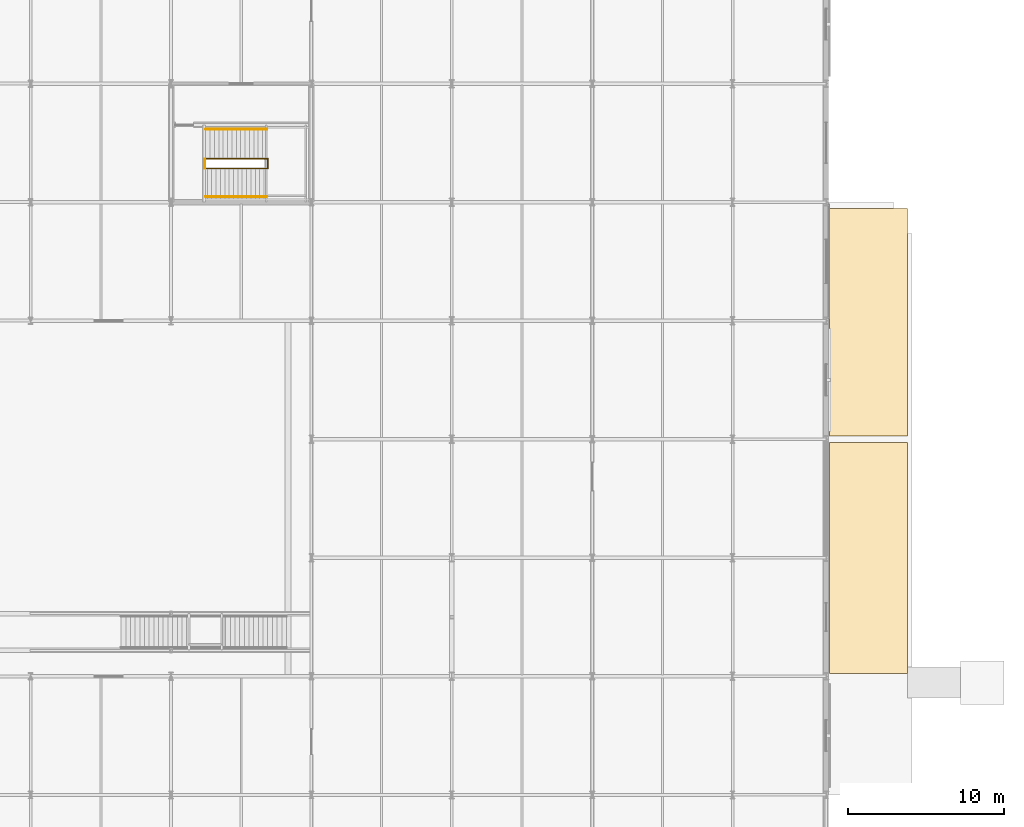
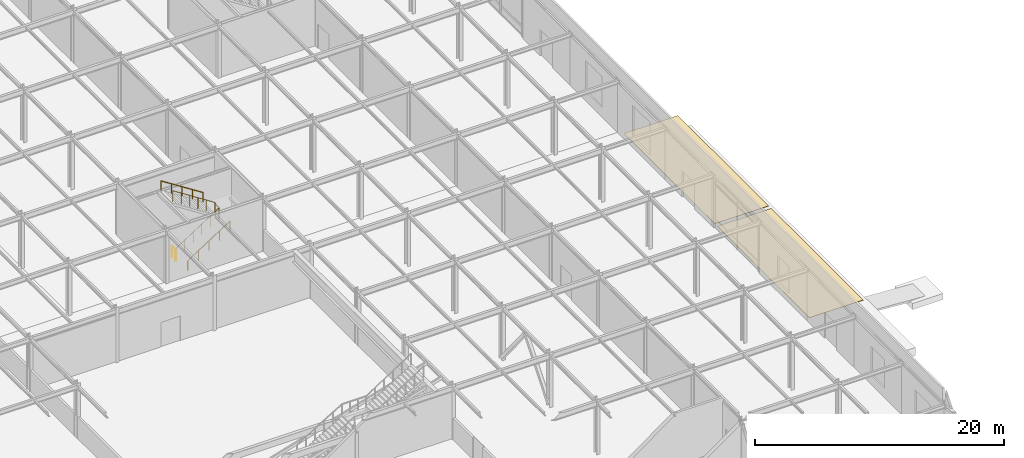
# One storey, part 87 of 89: 4 railings, 2 coverings.
"""IFC4 building model written with IfcOpenShell, lengths in metres."""

from ifc_helpers import new_model, si_unit, direction, frame, origin, origin_2d, place, context, subcontext, project, spatial, polyline, circle, outline, extrude, material, layer, layer_set, type_object, element, save


model = new_model("IFC4")

# Units and contexts
model_context = context("Model", 3, precision=1e-05, world=origin(), true_north=direction((0.0, 1.0)))
body_context = subcontext(model_context, "Body", "Model", "MODEL_VIEW")
ifc_project = project(units=[si_unit("LENGTHUNIT", "METRE"), si_unit("AREAUNIT", "SQUARE_METRE"), si_unit("VOLUMEUNIT", "CUBIC_METRE"), si_unit("PLANEANGLEUNIT", "RADIAN"), si_unit("MASSUNIT", "GRAM", prefix="KILO")], contexts=[model_context])

# Site, building, storey
site_placement = place(None, origin())
site = spatial("IfcSite", under=ifc_project, at=site_placement, CompositionType="ELEMENT")
building_placement = place(site_placement, origin())
building = spatial("IfcBuilding", under=site, at=building_placement, Name="Shalkamar Park Central Library", CompositionType="ELEMENT")
storey_placement = place(building_placement, origin())
storey = spatial("IfcBuildingStorey", under=building, at=storey_placement, Name="L01", CompositionType="ELEMENT", Elevation=0.0)

# Coverings
ifc_material_1 = material(Name="Flamed grey granite paving", Category="masonry")
ifc_layer = layer(ifc_material_1, 0.0400390625)
ifc_layer_set = layer_set([ifc_layer], Name="FlamedGranitePlazaPaving")
covering_type = type_object("IfcCoveringType", Name="Flamed Granite Plaza Paving", PredefinedType="FLOORING", material=ifc_layer_set)
covering_1_placement = place(storey_placement, origin())
element("IfcCovering", 1, at=covering_1_placement, inside=storey, type_object=covering_type, Name="Flamed Granite Plaza Paving PAV-E1", PredefinedType="FLOORING", context=body_context, shape_type="SweptSolid", body=[
    extrude(outline(polyline([(288.199951171875, 270.60009765625), (293.199951171875, 270.60009765625), (293.199951171875, 285.39990234375), (288.199951171875, 285.39990234375), (288.199951171875, 270.60009765625)])), origin(), (0.0, 0.0, 1.0), 0.030029296875),
])
covering_2_placement = place(storey_placement, origin())
element("IfcCovering", 2, at=covering_2_placement, inside=storey, type_object=covering_type, Name="Flamed Granite Plaza Paving PAV-E2", PredefinedType="FLOORING", context=body_context, shape_type="SweptSolid", body=[
    extrude(outline(polyline([(288.199951171875, 285.800048828125), (293.199951171875, 285.800048828125), (293.199951171875, 300.39990234375), (288.199951171875, 300.39990234375), (288.199951171875, 285.800048828125)])), origin(), (0.0, 0.0, 1.0), 0.030029296875),
])

# Railings
ifc_material_2 = material(Name="Steel S355", Category="steel")
railing_type_1 = type_object("IfcRailingType", Name="Stair Guardrail 1100", PredefinedType="GUARDRAIL", material=ifc_material_2)
railing_1_placement = place(storey_placement, frame((248.22509765625, 302.965087890625, 0.179931640625)))
element("IfcRailing", 3, at=railing_1_placement, inside=storey, type_object=railing_type_1, Name="Stair Inner Well Guardrail ST-P4-L01", PredefinedType="GUARDRAIL", context=body_context, shape_type="SweptSolid", body=[
    extrude(circle(Radius=0.02392578125, at=origin_2d()), frame((0.0, 0.0, 1.076171875), z_axis=(0.841171666519, 0.0, 0.540768182723), x_axis=(0.0, 1.0, 0.0)), (0.0, 0.0, 1.0), 4.66015625),
    extrude(circle(Radius=0.02392578125, at=origin_2d()), frame((3.919921875, 0.0, 3.59619140625), z_axis=(1.0, 0.0, 0.0), x_axis=(0.0, 1.0, 0.0)), (0.0, 0.0, 1.0), 0.06005859375),
    extrude(circle(Radius=0.02392578125, at=origin_2d()), frame((3.97998046875, 0.0, 3.59619140625), z_axis=(0.0, 1.0, 0.0), x_axis=(-1.0, 0.0, 0.0)), (0.0, 0.0, 1.0), 0.619873046875),
    extrude(circle(Radius=0.02392578125, at=origin_2d()), frame((3.97998046875, 0.619873046875, 3.59619140625), z_axis=(-0.316613854282, 0.0, 0.948554514657), x_axis=(0.0, -1.0, 0.0)), (0.0, 0.0, 1.0), 0.189697265625),
    extrude(circle(Radius=0.02392578125, at=origin_2d()), frame((3.919921875, 0.619873046875, 3.77587890625), z_axis=(-0.841171666519, 0.0, 0.540768182723), x_axis=(0.0, -1.0, 0.0)), (0.0, 0.0, 1.0), 4.66015625),
    extrude(circle(Radius=0.02099609375, at=origin_2d()), origin(), (0.0, 0.0, 1.0), 1.052001953125),
    extrude(circle(Radius=0.02099609375, at=origin_2d()), frame((0.783935546875, 0.0, 0.50390625)), (0.0, 0.0, 1.0), 1.052001953125),
    extrude(circle(Radius=0.02099609375, at=origin_2d()), frame((1.56787109375, 0.0, 1.008056640625)), (0.0, 0.0, 1.0), 1.052001953125),
    extrude(circle(Radius=0.02099609375, at=origin_2d()), frame((2.35205078125, 0.0, 1.511962890625)), (0.0, 0.0, 1.0), 1.052001953125),
    extrude(circle(Radius=0.02099609375, at=origin_2d()), frame((3.135986328125, 0.0, 2.01611328125)), (0.0, 0.0, 1.0), 1.052001953125),
    extrude(circle(Radius=0.02099609375, at=origin_2d()), frame((3.919921875, 0.0, 2.52001953125)), (0.0, 0.0, 1.0), 1.052001953125),
    extrude(circle(Radius=0.02099609375, at=origin_2d()), frame((3.97998046875, 0.0, 2.52001953125)), (0.0, 0.0, 1.0), 1.052001953125),
    extrude(circle(Radius=0.02099609375, at=origin_2d()), frame((3.97998046875, 0.619873046875, 2.52001953125)), (0.0, 0.0, 1.0), 1.052001953125),
    extrude(circle(Radius=0.02099609375, at=origin_2d()), frame((3.919921875, 0.619873046875, 2.699951171875)), (0.0, 0.0, 1.0), 1.052001953125),
    extrude(circle(Radius=0.02099609375, at=origin_2d()), frame((3.135986328125, 0.619873046875, 3.203857421875)), (0.0, 0.0, 1.0), 1.052001953125),
    extrude(circle(Radius=0.02099609375, at=origin_2d()), frame((2.35205078125, 0.619873046875, 3.7080078125)), (0.0, 0.0, 1.0), 1.052001953125),
    extrude(circle(Radius=0.02099609375, at=origin_2d()), frame((1.56787109375, 0.619873046875, 4.2119140625)), (0.0, 0.0, 1.0), 1.052001953125),
    extrude(circle(Radius=0.02099609375, at=origin_2d()), frame((0.783935546875, 0.619873046875, 4.716064453125)), (0.0, 0.0, 1.0), 1.052001953125),
    extrude(circle(Radius=0.02099609375, at=origin_2d()), frame((0.0, 0.619873046875, 5.219970703125)), (0.0, 0.0, 1.0), 1.052001953125),
])
railing_2_placement = place(storey_placement, frame((248.1650390625, 302.97509765625, 0.0)))
element("IfcRailing", 4, at=railing_2_placement, inside=storey, type_object=railing_type_1, Name="Stair Arrival Well Guardrail ST-P4 (L01)", PredefinedType="GUARDRAIL", context=body_context, shape_type="SweptSolid", body=[
    extrude(circle(Radius=0.02392578125, at=origin_2d()), frame((0.0, 0.0, 1.076171875), z_axis=(0.0, 1.0, 0.0), x_axis=(-1.0, 0.0, 0.0)), (0.0, 0.0, 1.0), 0.599853515625),
    extrude(circle(Radius=0.02099609375, at=origin_2d()), origin(), (0.0, 0.0, 1.0), 1.052001953125),
    extrude(circle(Radius=0.02099609375, at=origin_2d()), frame((0.0, 0.599853515625, 0.0)), (0.0, 0.0, 1.0), 1.052001953125),
])
railing_type_2 = type_object("IfcRailingType", Name="Stair Pitched Handrail 920", PredefinedType="HANDRAIL", material=ifc_material_2)
railing_3_placement = place(storey_placement, frame((248.22509765625, 301.155029296875, 0.179931640625)))
element("IfcRailing", 5, at=railing_3_placement, inside=storey, type_object=railing_type_2, Name="Stair Wall Handrail ST-P4-L01 Flight 1", PredefinedType="HANDRAIL", context=body_context, shape_type="SweptSolid", body=[
    extrude(circle(Radius=0.02392578125, at=origin_2d()), frame((0.0, 0.0, 0.89599609375), z_axis=(0.841171666519, 0.0, 0.540768182723), x_axis=(0.0, 1.0, 0.0)), (0.0, 0.0, 1.0), 4.66015625),
    extrude(circle(Radius=0.02099609375, at=origin_2d()), origin(), (0.0, 0.0, 1.0), 0.871826171875),
    extrude(circle(Radius=0.02099609375, at=origin_2d()), frame((0.97998046875, 0.0, 0.6298828125)), (0.0, 0.0, 1.0), 0.871826171875),
    extrude(circle(Radius=0.02099609375, at=origin_2d()), frame((1.9599609375, 0.0, 1.260009765625)), (0.0, 0.0, 1.0), 0.871826171875),
    extrude(circle(Radius=0.02099609375, at=origin_2d()), frame((2.93994140625, 0.0, 1.89013671875)), (0.0, 0.0, 1.0), 0.871826171875),
    extrude(circle(Radius=0.02099609375, at=origin_2d()), frame((3.919921875, 0.0, 2.52001953125)), (0.0, 0.0, 1.0), 0.871826171875),
])
railing_4_placement = place(storey_placement, frame((252.14501953125, 305.47509765625, 2.8798828125)))
element("IfcRailing", 6, at=railing_4_placement, inside=storey, type_object=railing_type_2, Name="Stair Wall Handrail ST-P4-L01 Flight 2", PredefinedType="HANDRAIL", context=body_context, shape_type="SweptSolid", body=[
    extrude(circle(Radius=0.02392578125, at=origin_2d()), frame((0.0, 0.0, 0.89599609375), z_axis=(-0.841171666519, 0.0, 0.540768182723), x_axis=(0.0, -1.0, 0.0)), (0.0, 0.0, 1.0), 4.66015625),
    extrude(circle(Radius=0.02099609375, at=origin_2d()), origin(), (0.0, 0.0, 1.0), 0.871826171875),
    extrude(circle(Radius=0.02099609375, at=origin_2d()), frame((-0.97998046875, 0.0, 0.6298828125)), (0.0, 0.0, 1.0), 0.871826171875),
    extrude(circle(Radius=0.02099609375, at=origin_2d()), frame((-1.9599609375, 0.0, 1.260009765625)), (0.0, 0.0, 1.0), 0.871826171875),
    extrude(circle(Radius=0.02099609375, at=origin_2d()), frame((-2.93994140625, 0.0, 1.89013671875)), (0.0, 0.0, 1.0), 0.871826171875),
    extrude(circle(Radius=0.02099609375, at=origin_2d()), frame((-3.919921875, 0.0, 2.52001953125)), (0.0, 0.0, 1.0), 0.871826171875),
])

save(model, "model.ifc")
